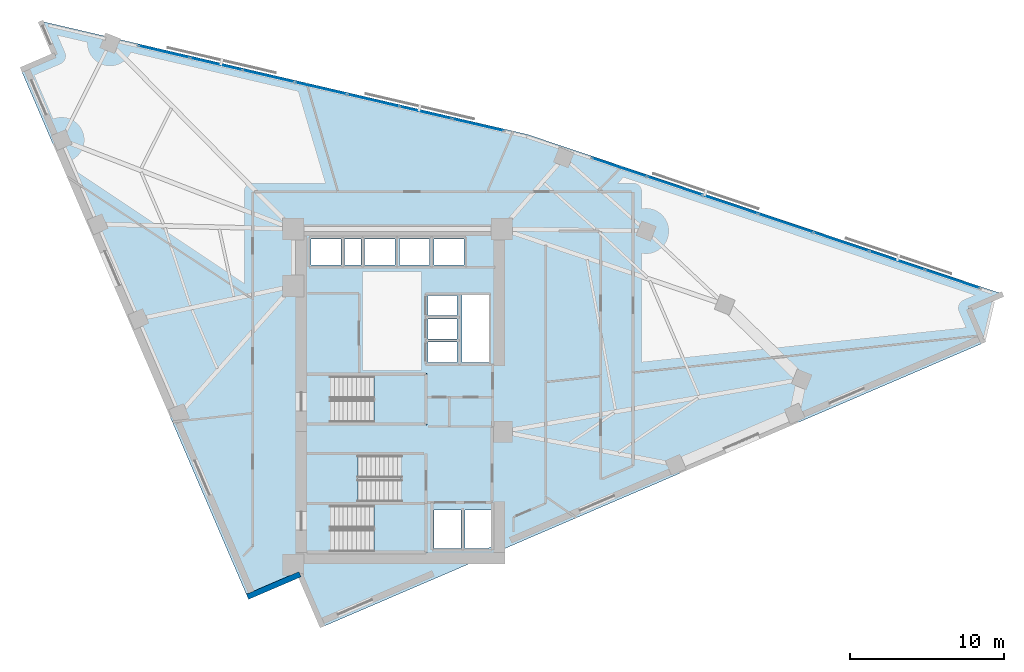
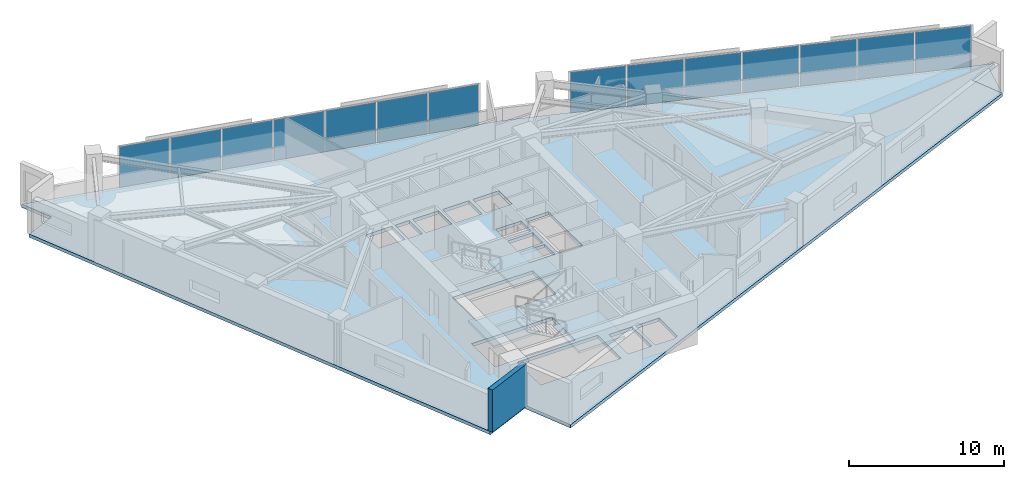
# One storey, part 8 of 13: 14 plates, 5 slabs, 1 wall, 5 elements without a shape of their own.
"""IFC4 building model written with IfcOpenShell, lengths in metres."""

from ifc_helpers import new_model, si_unit, direction, frame, frame_2d, origin, origin_2d, place, context, subcontext, project, spatial, polyline, rectangle, outline, extrude, material, layer, layer_set, type_object, element, aggregate, save


model = new_model("IFC4")

# Units and contexts
model_context = context("Model", 3, precision=1e-05, world=origin(), true_north=direction((0.0, 1.0)))
body_context = subcontext(model_context, "Body", "Model", "MODEL_VIEW")
ifc_project = project(units=[si_unit("LENGTHUNIT", "METRE"), si_unit("AREAUNIT", "SQUARE_METRE"), si_unit("VOLUMEUNIT", "CUBIC_METRE"), si_unit("PLANEANGLEUNIT", "RADIAN"), si_unit("MASSUNIT", "GRAM", prefix="KILO")], contexts=[model_context])

# Site, building, storey
site_placement = place(None, origin())
site = spatial("IfcSite", under=ifc_project, at=site_placement, CompositionType="ELEMENT")
building_placement = place(site_placement, origin())
building = spatial("IfcBuilding", under=site, at=building_placement, Name="Narakoshi Arena Tower", CompositionType="ELEMENT")
storey_placement = place(building_placement, frame((0.0, 0.0, 171.89990234375)))
storey = spatial("IfcBuildingStorey", under=building, at=storey_placement, Name="L46", CompositionType="ELEMENT", Elevation=171.89990234375)

# Curtain wall, plates
ifc_material_1 = material(Name="Anodised bronze aluminium 6063-T6", Category="aluminium")
curtain_wall_type = type_object("IfcCurtainWallType", Name="CW-HYP-MID", PredefinedType="NOTDEFINED", material=ifc_material_1)
curtain_wall_1_placement = place(storey_placement, origin())
curtain_wall_1 = element("IfcCurtainWall", 1, at=curtain_wall_1_placement, inside=storey, type_object=curtain_wall_type, Name="L46 Folded Hypotenuse Curtain Wall 1-1", PredefinedType="NOTDEFINED")
ifc_material_2 = material(Name="Bronze-tinted low-E laminated glass", Category="glass")
ifc_layer_1 = layer(ifc_material_2, 0.0380859375)
ifc_layer_set_1 = layer_set([ifc_layer_1], Name="Bronze-tinted low-E laminated glass")
plate_type = type_object("IfcPlateType", Name="PLT-GLZ-38", PredefinedType="CURTAIN_PANEL", material=ifc_layer_set_1)
plate_1_placement = place(storey_placement, frame((114.78466796875, 53.2509765625, 0.065185546875), z_axis=(0.0, 0.0, 1.0), x_axis=(-0.948003144077, 0.318260960253, 0.0)))
plate_1 = element("IfcPlate", 2, at=plate_1_placement, type_object=plate_type, Name="CW-02 panel 1.1", PredefinedType="CURTAIN_PANEL", context=body_context, shape_type="SweptSolid", body=[
    extrude(rectangle(XDim=3.69287109375, YDim=0.0380859375, at=origin_2d()), origin(), (0.0, 0.0, 1.0), 3.2099609375),
])
plate_2_placement = place(storey_placement, frame((111.19482421875, 54.4560546875, 0.065185546875), z_axis=(0.0, 0.0, 1.0), x_axis=(-0.948003144077, 0.318260960253, 0.0)))
plate_2 = element("IfcPlate", 3, at=plate_2_placement, type_object=plate_type, Name="CW-02 panel 2.1", PredefinedType="CURTAIN_PANEL", context=body_context, shape_type="SweptSolid", body=[
    extrude(rectangle(XDim=3.73046875, YDim=0.0380859375, at=origin_2d()), origin(), (0.0, 0.0, 1.0), 3.2099609375),
])
plate_3_placement = place(storey_placement, frame((107.58740234375, 55.667236328125, 0.065185546875), z_axis=(0.0, 0.0, 1.0), x_axis=(-0.948003144077, 0.318260960253, 0.0)))
plate_3 = element("IfcPlate", 4, at=plate_3_placement, type_object=plate_type, Name="CW-02 panel 3.1", PredefinedType="CURTAIN_PANEL", context=body_context, shape_type="SweptSolid", body=[
    extrude(rectangle(XDim=3.73046875, YDim=0.0380859375, at=origin_2d()), origin(), (0.0, 0.0, 1.0), 3.2099609375),
])
plate_4_placement = place(storey_placement, frame((103.979736328125, 56.87841796875, 0.065185546875), z_axis=(0.0, 0.0, 1.0), x_axis=(-0.948003144077, 0.318260960253, 0.0)))
plate_4 = element("IfcPlate", 5, at=plate_4_placement, type_object=plate_type, Name="CW-02 panel 4.1", PredefinedType="CURTAIN_PANEL", context=body_context, shape_type="SweptSolid", body=[
    extrude(rectangle(XDim=3.73046875, YDim=0.0380859375, at=origin_2d()), origin(), (0.0, 0.0, 1.0), 3.2099609375),
])
plate_5_placement = place(storey_placement, frame((100.3720703125, 58.089599609375, 0.065185546875), z_axis=(0.0, 0.0, 1.0), x_axis=(-0.948003144077, 0.318260960253, 0.0)))
plate_5 = element("IfcPlate", 6, at=plate_5_placement, type_object=plate_type, Name="CW-02 panel 5.1", PredefinedType="CURTAIN_PANEL", context=body_context, shape_type="SweptSolid", body=[
    extrude(rectangle(XDim=3.73046875, YDim=0.0380859375, at=origin_2d()), origin(), (0.0, 0.0, 1.0), 3.2099609375),
])
plate_6_placement = place(storey_placement, frame((96.7646484375, 59.300537109375, 0.065185546875), z_axis=(0.0, 0.0, 1.0), x_axis=(-0.948003144077, 0.318260960253, 0.0)))
plate_6 = element("IfcPlate", 7, at=plate_6_placement, type_object=plate_type, Name="CW-02 panel 6.1", PredefinedType="CURTAIN_PANEL", context=body_context, shape_type="SweptSolid", body=[
    extrude(rectangle(XDim=3.73046875, YDim=0.0380859375, at=origin_2d()), origin(), (0.0, 0.0, 1.0), 3.2099609375),
])
plate_7_placement = place(storey_placement, frame((93.1748046875, 60.505859375, 0.065185546875), z_axis=(0.0, 0.0, 1.0), x_axis=(-0.948003144077, 0.318260960253, 0.0)))
plate_7 = element("IfcPlate", 8, at=plate_7_placement, type_object=plate_type, Name="CW-02 panel 7.1", PredefinedType="CURTAIN_PANEL", context=body_context, shape_type="SweptSolid", body=[
    extrude(rectangle(XDim=3.69287109375, YDim=0.0380859375, at=origin_2d()), origin(), (0.0, 0.0, 1.0), 3.2099609375),
])
aggregate(curtain_wall_1, [plate_1, plate_2, plate_3, plate_4, plate_5, plate_6, plate_7])

curtain_wall_2_placement = place(storey_placement, origin())
curtain_wall_2 = element("IfcCurtainWall", 9, at=curtain_wall_2_placement, inside=storey, type_object=curtain_wall_type, Name="L46 Folded Hypotenuse Curtain Wall 2-1", PredefinedType="NOTDEFINED")
plate_8_placement = place(storey_placement, frame((83.994384765625, 63.260986328125, 0.065185546875), z_axis=(0.0, 0.0, 1.0), x_axis=(-0.973959704148, 0.226721182724, 0.0)))
plate_8 = element("IfcPlate", 10, at=plate_8_placement, type_object=plate_type, Name="CW-02 panel 1.1", PredefinedType="CURTAIN_PANEL", context=body_context, shape_type="SweptSolid", body=[
    extrude(rectangle(XDim=3.37939453125, YDim=0.0380859375, at=origin_2d()), origin(), (0.0, 0.0, 1.0), 3.2099609375),
])
plate_9_placement = place(storey_placement, frame((80.61181640625, 64.048583984375, 0.065185546875), z_axis=(0.0, 0.0, 1.0), x_axis=(-0.973959704148, 0.226721182724, 0.0)))
plate_9 = element("IfcPlate", 11, at=plate_9_placement, type_object=plate_type, Name="CW-02 panel 2.1", PredefinedType="CURTAIN_PANEL", context=body_context, shape_type="SweptSolid", body=[
    extrude(rectangle(XDim=3.416748046875, YDim=0.0380859375, at=origin_2d()), origin(), (0.0, 0.0, 1.0), 3.2099609375),
])
plate_10_placement = place(storey_placement, frame((77.2109375, 64.840087890625, 0.065185546875), z_axis=(0.0, 0.0, 1.0), x_axis=(-0.973959704148, 0.226721182724, 0.0)))
plate_10 = element("IfcPlate", 12, at=plate_10_placement, type_object=plate_type, Name="CW-02 panel 3.1", PredefinedType="CURTAIN_PANEL", context=body_context, shape_type="SweptSolid", body=[
    extrude(rectangle(XDim=3.416748046875, YDim=0.0380859375, at=origin_2d()), origin(), (0.0, 0.0, 1.0), 3.2099609375),
])
plate_11_placement = place(storey_placement, frame((73.81005859375, 65.6318359375, 0.065185546875), z_axis=(0.0, 0.0, 1.0), x_axis=(-0.973959704148, 0.226721182724, 0.0)))
plate_11 = element("IfcPlate", 13, at=plate_11_placement, type_object=plate_type, Name="CW-02 panel 4.1", PredefinedType="CURTAIN_PANEL", context=body_context, shape_type="SweptSolid", body=[
    extrude(rectangle(XDim=3.416748046875, YDim=0.0380859375, at=origin_2d()), origin(), (0.0, 0.0, 1.0), 3.2099609375),
])
plate_12_placement = place(storey_placement, frame((70.4091796875, 66.423583984375, 0.065185546875), z_axis=(0.0, 0.0, 1.0), x_axis=(-0.973959704148, 0.226721182724, 0.0)))
plate_12 = element("IfcPlate", 14, at=plate_12_placement, type_object=plate_type, Name="CW-02 panel 5.1", PredefinedType="CURTAIN_PANEL", context=body_context, shape_type="SweptSolid", body=[
    extrude(rectangle(XDim=3.416748046875, YDim=0.0380859375, at=origin_2d()), origin(), (0.0, 0.0, 1.0), 3.2099609375),
])
plate_13_placement = place(storey_placement, frame((67.00830078125, 67.215087890625, 0.065185546875), z_axis=(0.0, 0.0, 1.0), x_axis=(-0.973959704148, 0.226721182724, 0.0)))
plate_13 = element("IfcPlate", 15, at=plate_13_placement, type_object=plate_type, Name="CW-02 panel 6.1", PredefinedType="CURTAIN_PANEL", context=body_context, shape_type="SweptSolid", body=[
    extrude(rectangle(XDim=3.416748046875, YDim=0.0380859375, at=origin_2d()), origin(), (0.0, 0.0, 1.0), 3.2099609375),
])
plate_14_placement = place(storey_placement, frame((63.625732421875, 68.002685546875, 0.065185546875), z_axis=(0.0, 0.0, 1.0), x_axis=(-0.973959704148, 0.226721182724, 0.0)))
plate_14 = element("IfcPlate", 16, at=plate_14_placement, type_object=plate_type, Name="CW-02 panel 7.1", PredefinedType="CURTAIN_PANEL", context=body_context, shape_type="SweptSolid", body=[
    extrude(rectangle(XDim=3.37939453125, YDim=0.0380859375, at=origin_2d()), origin(), (0.0, 0.0, 1.0), 3.2099609375),
])
aggregate(curtain_wall_2, [plate_8, plate_9, plate_10, plate_11, plate_12, plate_13, plate_14])

# Stair, slab
ifc_material_3 = material(Name="Concrete C45/55", Category="concrete")
stair_type = type_object("IfcStairType", Name="STR-CORE-360", PredefinedType="TWO_STRAIGHT_RUN_STAIR", material=ifc_material_3)
stair_1_placement = place(storey_placement, origin())
stair_1 = element("IfcStair", 17, at=stair_1_placement, inside=storey, type_object=stair_type, Name="L46 Core Escape Stair ST1", PredefinedType="TWO_STRAIGHT_RUN_STAIR")
ifc_layer_2 = layer(ifc_material_3, 0.18994140625)
ifc_layer_set_2 = layer_set([ifc_layer_2], Name="Concrete C45/55")
slab_type_1 = type_object("IfcSlabType", Name="SLB-LND-190", PredefinedType="LANDING", material=ifc_layer_set_2)
slab_1_placement = place(storey_placement, frame((0.0, 0.0, 1.610107421875)))
slab_1 = element("IfcSlab", 18, at=slab_1_placement, type_object=slab_type_1, Name="ST1 landing 1", PredefinedType="LANDING", context=body_context, shape_type="SweptSolid", body=[
    extrude(outline(polyline([(77.25, 35.3701171875), (80.679931640625, 35.3701171875), (80.679931640625, 38.72998046875), (77.25, 38.72998046875), (77.25, 35.3701171875)])), origin(), (0.0, 0.0, 1.0), 0.18994140625),
])
aggregate(stair_1, [slab_1])

stair_2_placement = place(storey_placement, origin())
stair_2 = element("IfcStair", 19, at=stair_2_placement, inside=storey, type_object=stair_type, Name="L46 Core Escape Stair ST2", PredefinedType="TWO_STRAIGHT_RUN_STAIR")
slab_2_placement = place(storey_placement, frame((0.0, 0.0, 1.610107421875)))
slab_2 = element("IfcSlab", 20, at=slab_2_placement, type_object=slab_type_1, Name="ST2 landing 1", PredefinedType="LANDING", context=body_context, shape_type="SweptSolid", body=[
    extrude(outline(polyline([(72.77001953125, 38.6201171875), (76.199951171875, 38.6201171875), (76.199951171875, 41.97998046875), (72.77001953125, 41.97998046875), (72.77001953125, 38.6201171875)])), origin(), (0.0, 0.0, 1.0), 0.18994140625),
])
aggregate(stair_2, [slab_2])

stair_3_placement = place(storey_placement, origin())
stair_3 = element("IfcStair", 21, at=stair_3_placement, inside=storey, type_object=stair_type, Name="L46 Core Escape Stair ST3", PredefinedType="TWO_STRAIGHT_RUN_STAIR")
slab_3_placement = place(storey_placement, frame((0.0, 0.0, 1.610107421875)))
slab_3 = element("IfcSlab", 22, at=slab_3_placement, type_object=slab_type_1, Name="ST3 landing 1", PredefinedType="LANDING", context=body_context, shape_type="SweptSolid", body=[
    extrude(outline(polyline([(77.25, 43.77001953125), (80.679931640625, 43.77001953125), (80.679931640625, 47.1298828125), (77.25, 47.1298828125), (77.25, 43.77001953125)])), origin(), (0.0, 0.0, 1.0), 0.18994140625),
])
aggregate(stair_3, [slab_3])

# Slabs
ifc_material_4 = material(Name="Concrete C50/60", Category="concrete")
ifc_layer_3 = layer(ifc_material_4, 0.260009765625)
ifc_layer_set_3 = layer_set([ifc_layer_3], Name="Concrete C50/60")
slab_type_2 = type_object("IfcSlabType", Name="SLB-SKY-260", PredefinedType="FLOOR", material=ifc_layer_set_3)
slab_4_placement = place(storey_placement, frame((0.0, 0.0, -0.260009765625)))
element("IfcSlab", 23, at=slab_4_placement, inside=storey, type_object=slab_type_2, Name="L46 Structural Floor Slab", PredefinedType="FLOOR", context=body_context, shape_type="SweptSolid", body=[
    extrude(outline(polyline([(73.9169921875, 30.68115234375), (116.8017578125, 49.105712890625), (115.84912109375, 51.3232421875), (118.06640625, 52.27587890625), (87.201416015625, 62.6376953125), (55.614013671875, 69.99072265625), (56.56640625, 67.7734375), (54.34912109375, 66.82080078125), (69.0400390625, 32.626708984375), (72.451416015625, 34.09228515625), (73.9169921875, 30.68115234375)]), holes=[polyline([(80.5, 35.550048828125), (74.47998046875, 35.550048828125), (74.47998046875, 38.550048828125), (80.5, 38.550048828125), (80.5, 35.550048828125)]), polyline([(82.89990234375, 35.75), (81.14990234375, 35.75), (81.14990234375, 38.25), (82.89990234375, 38.25), (82.89990234375, 35.75)]), polyline([(84.5751953125, 35.75), (83.14990234375, 35.75), (83.14990234375, 38.25), (84.89990234375, 38.25), (84.89990234375, 35.889404296875), (84.5751953125, 35.75)]), polyline([(72.949951171875, 38.800048828125), (72.949951171875, 41.800048828125), (78.969970703125, 41.800048828125), (78.969970703125, 38.800048828125), (72.949951171875, 38.800048828125)]), polyline([(74.47998046875, 43.949951171875), (74.47998046875, 46.949951171875), (80.5, 46.949951171875), (80.5, 43.949951171875), (74.47998046875, 43.949951171875)]), polyline([(82.949951171875, 47.840087890625), (82.949951171875, 52.199951171875), (84.699951171875, 52.199951171875), (84.699951171875, 47.840087890625), (82.949951171875, 47.840087890625)]), polyline([(80.75, 47.85009765625), (80.75, 49.14990234375), (82.64990234375, 49.14990234375), (82.64990234375, 47.85009765625), (80.75, 47.85009765625)]), polyline([(80.75, 49.3701171875), (80.75, 50.669921875), (82.64990234375, 50.669921875), (82.64990234375, 49.3701171875), (80.75, 49.3701171875)]), polyline([(80.75, 50.889892578125), (80.75, 52.18994140625), (82.64990234375, 52.18994140625), (82.64990234375, 50.889892578125), (80.75, 50.889892578125)]), polyline([(73.14990234375, 54.14990234375), (73.14990234375, 55.85009765625), (75.10009765625, 55.85009765625), (75.10009765625, 54.14990234375), (73.14990234375, 54.14990234375)]), polyline([(75.35009765625, 54.14990234375), (75.35009765625, 55.85009765625), (76.39990234375, 55.85009765625), (76.39990234375, 54.14990234375), (75.35009765625, 54.14990234375)]), polyline([(76.64990234375, 54.14990234375), (76.64990234375, 55.85009765625), (78.60009765625, 55.85009765625), (78.60009765625, 54.14990234375), (76.64990234375, 54.14990234375)]), polyline([(78.89990234375, 54.14990234375), (78.89990234375, 55.85009765625), (80.85009765625, 55.85009765625), (80.85009765625, 54.14990234375), (78.89990234375, 54.14990234375)]), polyline([(81.14990234375, 54.14990234375), (81.14990234375, 55.85009765625), (83.10009765625, 55.85009765625), (83.10009765625, 54.14990234375), (81.14990234375, 54.14990234375)])]), origin(), (0.0, 0.0, 1.0), 0.260009765625),
])
ifc_layer_4 = layer(ifc_material_3, 0.239990234375)
ifc_layer_set_4 = layer_set([ifc_layer_4], Name="Concrete C45/55")
slab_type_3 = type_object("IfcSlabType", Name="SLB-TERR-240", PredefinedType="ROOF", material=ifc_layer_set_4)
slab_5_placement = place(storey_placement, frame((0.0, 0.0, -0.239990234375)))
element("IfcSlab", 24, at=slab_5_placement, inside=storey, type_object=slab_type_3, Name="L46 Corner Notch Loggia Balcony Slab", PredefinedType="ROOF", context=body_context, shape_type="SweptSolid", body=[
    extrude(outline(polyline([(117.489013671875, 52.02587890625), (115.85205078125, 51.322021484375), (116.802978515625, 49.10888671875), (117.489013671875, 52.02587890625)])), origin(), (0.0, 0.0, 1.0), 0.239990234375),
])

# Wall
ifc_material_5 = material(Name="Precast concrete C45/55", Category="concrete")
ifc_layer_5 = layer(ifc_material_5, 0.419921875)
ifc_layer_set_5 = layer_set([ifc_layer_5], Name="Precast concrete C45/55")
wall_type = type_object("IfcWallType", Name="WL-POD-420", PredefinedType="SOLIDWALL", material=ifc_layer_set_5)
wall_placement = place(storey_placement, frame((69.0400390625, 32.626708984375, 0.0), z_axis=(0.0, 0.0, 1.0), x_axis=(0.91879775808, 0.394728615312, 0.0)))
element("IfcWall", 25, at=wall_placement, inside=storey, type_object=wall_type, Name="L46 Re-Entrant Corner Notch Wall NTA-1", PredefinedType="SOLIDWALL", context=body_context, shape_type="SweptSolid", body=[
    extrude(rectangle(XDim=3.712890625, YDim=0.360107421875, at=frame_2d((1.8564453125, 0.0))), origin(), (0.0, 0.0, 1.0), 3.340087890625),
])

save(model, "model.ifc")
